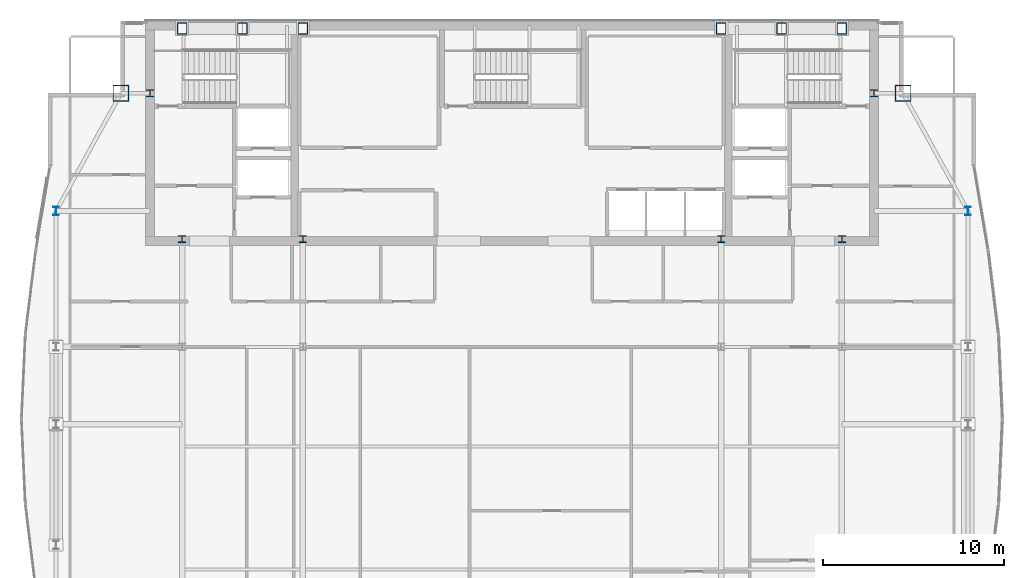
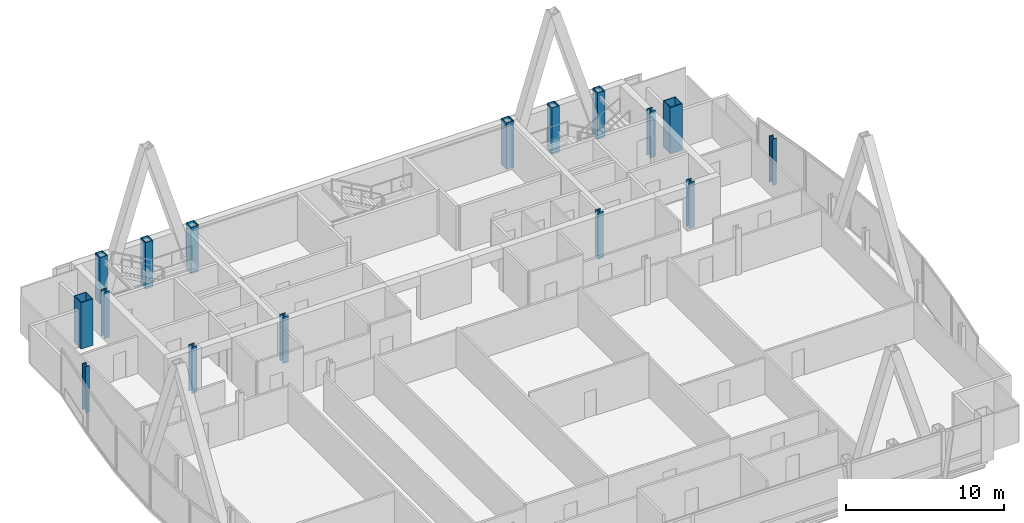
# One storey, part 3 of 29: 16 columns.
"""IFC4 building model written with IfcOpenShell, lengths in metres."""

from ifc_helpers import new_model, si_unit, direction, frame, origin, origin_2d, place, context, subcontext, project, spatial, hollow_rectangle, i_section, extrude, material, material_profile, profile_set, type_object, element, save


model = new_model("IFC4")

# Units and contexts
model_context = context("Model", 3, precision=1e-05, world=origin(), true_north=direction((0.0, 1.0)))
body_context = subcontext(model_context, "Body", "Model", "MODEL_VIEW")
ifc_project = project(units=[si_unit("LENGTHUNIT", "METRE"), si_unit("AREAUNIT", "SQUARE_METRE"), si_unit("VOLUMEUNIT", "CUBIC_METRE"), si_unit("PLANEANGLEUNIT", "RADIAN"), si_unit("MASSUNIT", "GRAM", prefix="KILO")], contexts=[model_context])

# Site, building, storey
site_placement = place(None, origin())
site = spatial("IfcSite", under=ifc_project, at=site_placement, CompositionType="ELEMENT")
building_placement = place(site_placement, origin())
building = spatial("IfcBuilding", under=site, at=building_placement, Name="Khoronbel Lancet Exchange", CompositionType="ELEMENT")
storey_placement = place(building_placement, frame((0.0, 0.0, 336.199951171875)))
storey = spatial("IfcBuildingStorey", under=building, at=storey_placement, Name="L87", CompositionType="ELEMENT", Elevation=336.199951171875)

# Columns
ifc_material_1 = material(Name="Steel S460", Category="steel")
ifc_material_profile_1 = material_profile(ifc_material_1, hollow_rectangle(XDim=0.550048828125, YDim=0.64990234375, WallThickness=0.0400390625, at=origin_2d()), Name="BOX 650x550x40")
ifc_profile_set_1 = profile_set([ifc_material_profile_1], Name="Steel S460")
column_type_1 = type_object("IfcColumnType", Name="COL-EC4", PredefinedType="COLUMN", material=ifc_profile_set_1)
for number, where, z_axis, x_axis, name in (
    (1, (18.22509765625, 53.280029296875, 0.0), (0.0, 0.0, 1.0), (1.0, 0.0, 0.0), "Structural column NC-W1 L87"),
    (2, (21.5625, 53.280029296875, 0.0), (0.0, 0.0, 1.0), (1.0, 0.0, 0.0), "Structural column NC-WM L87"),
    (3, (24.89990234375, 53.280029296875, 0.0), (0.0, 0.0, 1.0), (1.0, 0.0, 0.0), "Structural column NC-W2 L87"),
    (4, (48.0, 53.280029296875, 0.0), (0.0, 0.0, 1.0), (1.0, 0.0, 0.0), "Structural column NC-E1 L87"),
    (5, (51.33740234375, 53.280029296875, 0.0), (0.0, 0.0, 1.0), (1.0, 0.0, 0.0), "Structural column NC-EM L87"),
    (6, (54.675048828125, 53.280029296875, 0.0), (0.0, 0.0, 1.0), (1.0, 0.0, 0.0), "Structural column NC-E2 L87"),
):
    element("IfcColumn", number, at=place(storey_placement, frame(where, z_axis=z_axis, x_axis=x_axis)), inside=storey, type_object=column_type_1, Name=name, PredefinedType="COLUMN", context=body_context, shape_type="SweptSolid", body=[
        extrude(hollow_rectangle(XDim=0.550048828125, YDim=0.64990234375, WallThickness=0.0400390625, at=origin_2d()), origin(), (0.0, 0.0, 1.0), 3.60009765625),
    ])
ifc_material_2 = material(Name="Steel S355", Category="steel")
ifc_material_profile_2 = material_profile(ifc_material_2, i_section(OverallWidth=0.39892578125, OverallDepth=0.39306640625, WebThickness=0.022705078125, FlangeThickness=0.03662109375, at=origin_2d()), Name="HD 400x287")
ifc_profile_set_2 = profile_set([ifc_material_profile_2], Name="Steel S355")
column_type_2 = type_object("IfcColumnType", Name="COL-IC4", PredefinedType="COLUMN", material=ifc_profile_set_2)
for number, where, z_axis, x_axis, name in (
    (7, (16.449951171875, 49.699951171875, 0.0), (0.0, 0.0, 1.0), (1.0, 0.0, 0.0), "Core-flank plumb transfer column CFW L87"),
    (8, (56.449951171875, 49.699951171875, 0.0), (0.0, 0.0, 1.0), (1.0, 0.0, 0.0), "Core-flank plumb transfer column CFE L87"),
    (9, (18.22509765625, 41.64990234375, 0.0), (0.0, 0.0, 1.0), (1.0, 0.0, 0.0), "Core-embedded steel column CTC1 L87"),
    (10, (24.89990234375, 41.64990234375, 0.0), (0.0, 0.0, 1.0), (1.0, 0.0, 0.0), "Core-embedded steel column CTC2 L87"),
    (11, (48.0, 41.64990234375, 0.0), (0.0, 0.0, 1.0), (1.0, 0.0, 0.0), "Core-embedded steel column CTC3 L87"),
    (12, (54.675048828125, 41.64990234375, 0.0), (0.0, 0.0, 1.0), (1.0, 0.0, 0.0), "Core-embedded steel column CTC4 L87"),
):
    element("IfcColumn", number, at=place(storey_placement, frame(where, z_axis=z_axis, x_axis=x_axis)), inside=storey, type_object=column_type_2, Name=name, PredefinedType="COLUMN", context=body_context, shape_type="SweptSolid", body=[
        extrude(i_section(OverallWidth=0.39892578125, OverallDepth=0.39306640625, WebThickness=0.022705078125, FlangeThickness=0.03662109375, at=origin_2d()), origin(), (0.0, 0.0, 1.0), 3.60009765625),
    ])
ifc_material_profile_3 = material_profile(ifc_material_2, i_section(OverallWidth=0.300048828125, OverallDepth=0.449951171875, WebThickness=0.013916015625, FlangeThickness=0.02587890625, at=origin_2d()), Name="HEB 450")
ifc_profile_set_3 = profile_set([ifc_material_profile_3], Name="Steel S355")
column_type_3 = type_object("IfcColumnType", Name="COL-LC2", PredefinedType="COLUMN", material=ifc_profile_set_3)
for number, where, z_axis, x_axis, name in (
    (13, (11.27001953125, 43.199951171875, 0.0), (0.0, 0.0, 1.0), (1.0, 0.0, 0.0), "Structural column WC-4 L87"),
    (14, (61.6298828125, 43.199951171875, 0.0), (0.0, 0.0, 1.0), (1.0, 0.0, 0.0), "Structural column EC-4 L87"),
):
    element("IfcColumn", number, at=place(storey_placement, frame(where, z_axis=z_axis, x_axis=x_axis)), inside=storey, type_object=column_type_3, Name=name, PredefinedType="COLUMN", context=body_context, shape_type="SweptSolid", body=[
        extrude(i_section(OverallWidth=0.300048828125, OverallDepth=0.449951171875, WebThickness=0.013916015625, FlangeThickness=0.02587890625, at=origin_2d()), origin(), (0.0, 0.0, 1.0), 3.60009765625),
    ])
ifc_material_profile_4 = material_profile(ifc_material_1, hollow_rectangle(XDim=0.89990234375, YDim=0.89990234375, WallThickness=0.050048828125, at=origin_2d()), Name="BOX 900x900x50")
ifc_profile_set_4 = profile_set([ifc_material_profile_4], Name="Steel S460")
column_type_4 = type_object("IfcColumnType", Name="COL-MC7", PredefinedType="COLUMN", material=ifc_profile_set_4)
for number, where, z_axis, x_axis, name in (
    (15, (58.050048828125, 49.699951171875, 0.0), (0.0, 0.0, 1.0), (1.0, 0.0, 0.0), "Structural column MC-NE L87"),
    (16, (14.85009765625, 49.699951171875, 0.0), (0.0, 0.0, 1.0), (1.0, 0.0, 0.0), "Structural column MC-NW L87"),
):
    element("IfcColumn", number, at=place(storey_placement, frame(where, z_axis=z_axis, x_axis=x_axis)), inside=storey, type_object=column_type_4, Name=name, PredefinedType="COLUMN", context=body_context, shape_type="SweptSolid", body=[
        extrude(hollow_rectangle(XDim=0.89990234375, YDim=0.89990234375, WallThickness=0.050048828125, at=origin_2d()), origin(), (0.0, 0.0, 1.0), 3.60009765625),
    ])

save(model, "model.ifc")
